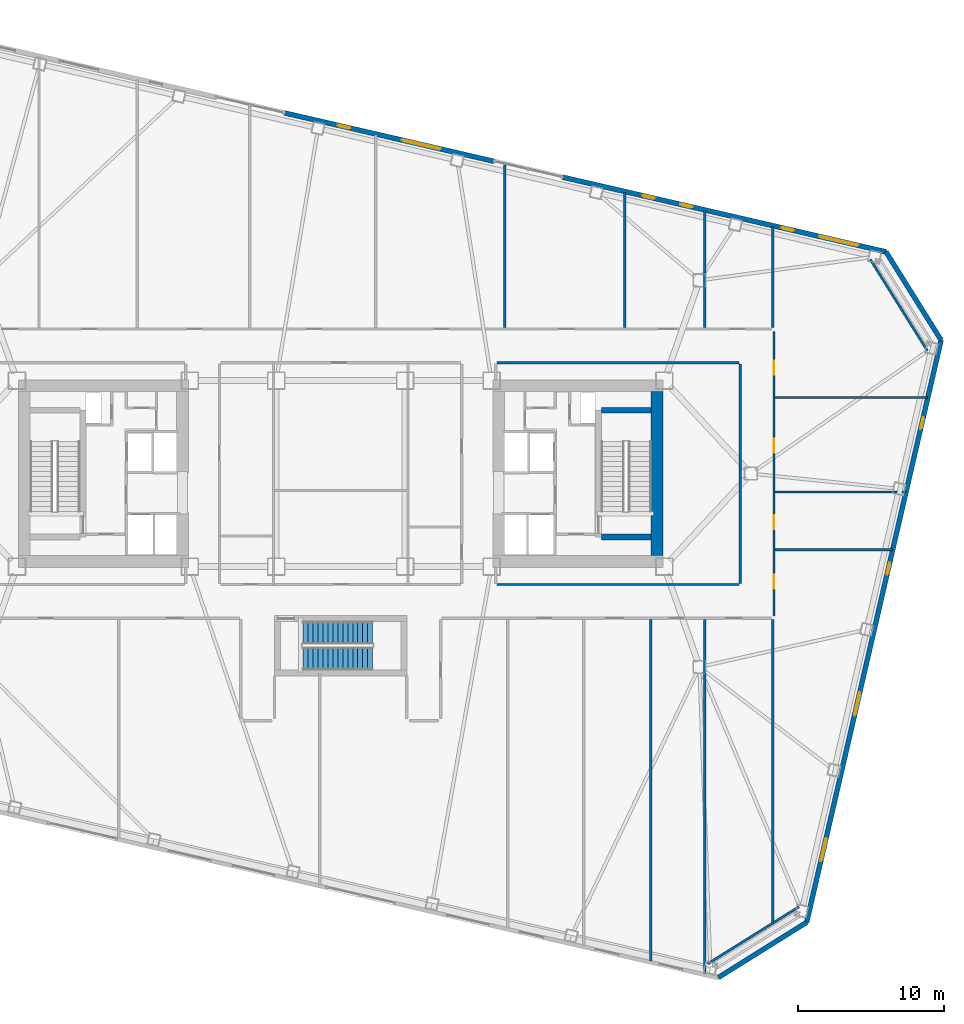
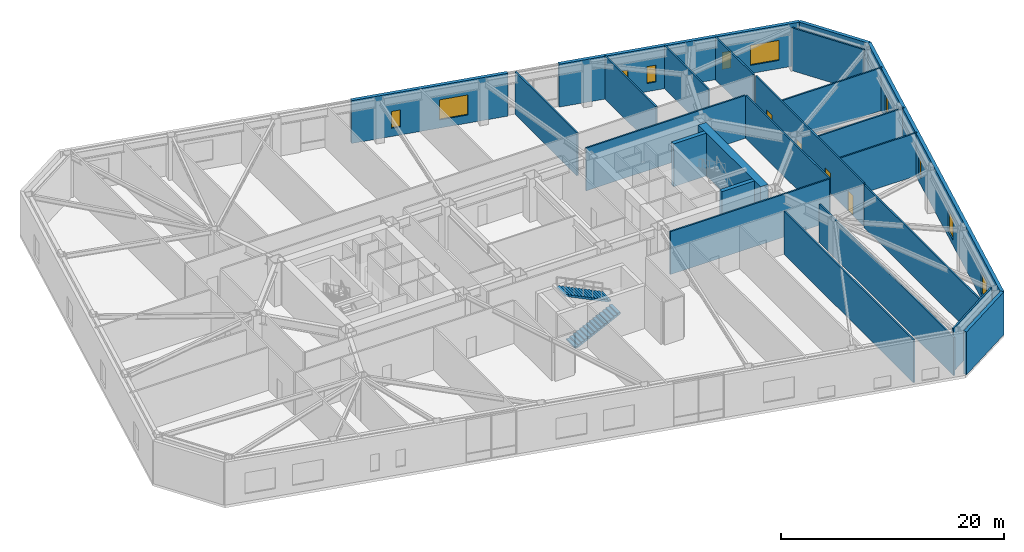
# One storey, part 14 of 21: 24 walls, 10 windows, 4 doors, 2 stair flights, 14 openings, 1 element without a shape of its own.
"""IFC4 building model written with IfcOpenShell, lengths in metres."""

from ifc_helpers import new_model, si_unit, direction, frame, frame_2d, origin, place, context, subcontext, project, spatial, polyline, rectangle, outline, extrude, material, layer, layer_set, type_object, element, fill, aggregate, save


model = new_model("IFC4")

# Units and contexts
model_context = context("Model", 3, precision=1e-05, world=origin(), true_north=direction((0.0, 1.0)))
body_context = subcontext(model_context, "Body", "Model", "MODEL_VIEW")
ifc_project = project(units=[si_unit("LENGTHUNIT", "METRE"), si_unit("AREAUNIT", "SQUARE_METRE"), si_unit("VOLUMEUNIT", "CUBIC_METRE"), si_unit("PLANEANGLEUNIT", "RADIAN"), si_unit("MASSUNIT", "GRAM", prefix="KILO")], contexts=[model_context])

# Site, building, storey
site_placement = place(None, origin())
site = spatial("IfcSite", under=ifc_project, at=site_placement, CompositionType="ELEMENT")
building_placement = place(site_placement, origin())
building = spatial("IfcBuilding", under=site, at=building_placement, Name="Tavrogorsk Clinical Tower", CompositionType="ELEMENT")
storey_placement = place(building_placement, frame((0.0, 0.0, 8.39990234375)))
storey = spatial("IfcBuildingStorey", under=building, at=storey_placement, Name="L01", CompositionType="ELEMENT", Elevation=8.39990234375)

# Walls
ifc_material_1 = material(Name="Lightweight concrete blockwork B15", Category="masonry")
ifc_layer_1 = layer(ifc_material_1, 0.159912109375)
ifc_layer_set_1 = layer_set([ifc_layer_1], Name="Lightweight concrete blockwork B15")
wall_type_1 = type_object("IfcWallType", Name="PartitionWall_160", PredefinedType="PARTITIONING", material=ifc_layer_set_1)
for number, where, z_axis, x_axis, name in (
    (1, (25.0595703125, -33.46826171875, 0.0), (0.0, 0.0, 1.0), (0.848043064089, 0.529927317139, 0.0), "L01 Corner Exoskeleton Brace Furring Wall 1"),
    (2, (40.059814453125, 8.389404296875, 0.0), (0.0, 0.0, 1.0), (-0.529927317139, 0.848043064089, 0.0), "L01 Corner Exoskeleton Brace Furring Wall 2"),
):
    element("IfcWall", number, at=place(storey_placement, frame(where, z_axis=z_axis, x_axis=x_axis)), inside=storey, type_object=wall_type_1, Name=name, PredefinedType="PARTITIONING", context=body_context, shape_type="SweptSolid", body=[
        extrude(rectangle(XDim=7.353759765625, YDim=0.159912109375, at=frame_2d((3.6767578125, 0.0))), origin(), (0.0, 0.0, 1.0), 4.7001953125),
    ])

# Wall, openings, doors
wall_1_placement = place(storey_placement, frame((29.580078125, 9.715087890625, 0.0), z_axis=(0.0, 0.0, 1.0), x_axis=(0.0, -1.0, 0.0)))
wall_1 = element("IfcWall", 3, at=wall_1_placement, inside=storey, type_object=wall_type_1, Name="L01 Corridor Partition 03", PredefinedType="PARTITIONING", context=body_context, shape_type="SweptSolid", body=[
    extrude(rectangle(XDim=19.43017578125, YDim=0.159912109375, at=frame_2d((9.715087890625, 0.0))), origin(), (0.0, 0.0, 1.0), 4.7001953125),
])
opening_1_placement = place(wall_1_placement, frame((16.630859375, 0.0, 0.0)))
opening_1 = element("IfcOpeningElement", 4, at=opening_1_placement, cuts=wall_1, Name="Opening ID-02", PredefinedType="OPENING", context=body_context, shape_type="SweptSolid", body=[
    extrude(rectangle(XDim=0.949951171875, YDim=2.199951171875, at=frame_2d((0.47509765625, 1.10009765625))), frame((0.0, 0.08984375, 0.0), z_axis=(0.0, -1.0, 0.0), x_axis=(1.0, 0.0, 0.0)), (0.0, 0.0, 1.0), 0.179931640625),
])
opening_2_placement = place(wall_1_placement, frame((12.550048828125, 0.0, 0.0)))
opening_2 = element("IfcOpeningElement", 5, at=opening_2_placement, cuts=wall_1, Name="Opening ID-02", PredefinedType="OPENING", context=body_context, shape_type="SweptSolid", body=[
    extrude(rectangle(XDim=0.949951171875, YDim=2.199951171875, at=frame_2d((0.47509765625, 1.10009765625))), frame((0.0, 0.08984375, 0.0), z_axis=(0.0, -1.0, 0.0), x_axis=(1.0, 0.0, 0.0)), (0.0, 0.0, 1.0), 0.179931640625),
])
opening_3_placement = place(wall_1_placement, frame((7.35009765625, 0.0, 0.0)))
opening_3 = element("IfcOpeningElement", 6, at=opening_3_placement, cuts=wall_1, Name="Opening ID-02", PredefinedType="OPENING", context=body_context, shape_type="SweptSolid", body=[
    extrude(rectangle(XDim=0.949951171875, YDim=2.199951171875, at=frame_2d((0.47509765625, 1.10009765625))), frame((0.0, 0.08984375, 0.0), z_axis=(0.0, -1.0, 0.0), x_axis=(1.0, 0.0, 0.0)), (0.0, 0.0, 1.0), 0.179931640625),
])
opening_4_placement = place(wall_1_placement, frame((2.01904296875, 0.0, 0.0)))
opening_4 = element("IfcOpeningElement", 7, at=opening_4_placement, cuts=wall_1, Name="Opening ID-02", PredefinedType="OPENING", context=body_context, shape_type="SweptSolid", body=[
    extrude(rectangle(XDim=0.949951171875, YDim=2.199951171875, at=frame_2d((0.47509765625, 1.10009765625))), frame((0.0, 0.08984375, 0.0), z_axis=(0.0, -1.0, 0.0), x_axis=(1.0, 0.0, 0.0)), (0.0, 0.0, 1.0), 0.179931640625),
])
ifc_material_2 = material(Name="Laminated timber leaf on aluminium frame", Category="wood")
door_type = type_object("IfcDoorType", Name="InteriorDoor_ID02_950", OperationType="NOTDEFINED", PredefinedType="DOOR", material=ifc_material_2)
door_1_placement = place(opening_1_placement, origin())
door_1 = element("IfcDoor", 8, at=door_1_placement, inside=storey, type_object=door_type, Name="L01 E Senior Clinician Suite 1 Door", OperationType="SINGLE_SWING_RIGHT", OverallHeight=2.199951171875, OverallWidth=0.949951171875, PredefinedType="DOOR", context=body_context, shape_type="SweptSolid", body=[
    extrude(rectangle(XDim=0.949951171875, YDim=2.199951171875, at=frame_2d((0.47509765625, 1.10009765625))), frame((0.0, 0.02490234375, 0.0), z_axis=(0.0, -1.0, 0.0), x_axis=(1.0, 0.0, 0.0)), (0.0, 0.0, 1.0), 0.050048828125),
])
fill(opening_1, door_1)
door_2_placement = place(opening_2_placement, origin())
door_2 = element("IfcDoor", 9, at=door_2_placement, inside=storey, type_object=door_type, Name="L01 E Multidisciplinary Seminar Suite 2 Door", OperationType="SINGLE_SWING_LEFT", OverallHeight=2.199951171875, OverallWidth=0.949951171875, PredefinedType="DOOR", context=body_context, shape_type="SweptSolid", body=[
    extrude(rectangle(XDim=0.949951171875, YDim=2.199951171875, at=frame_2d((0.47509765625, 1.10009765625))), frame((0.0, 0.02490234375, 0.0), z_axis=(0.0, -1.0, 0.0), x_axis=(1.0, 0.0, 0.0)), (0.0, 0.0, 1.0), 0.050048828125),
])
fill(opening_2, door_2)
door_3_placement = place(opening_3_placement, origin())
door_3 = element("IfcDoor", 10, at=door_3_placement, inside=storey, type_object=door_type, Name="L01 E Specialist Consultation Room 3 Door", OperationType="SINGLE_SWING_RIGHT", OverallHeight=2.199951171875, OverallWidth=0.949951171875, PredefinedType="DOOR", context=body_context, shape_type="SweptSolid", body=[
    extrude(rectangle(XDim=0.949951171875, YDim=2.199951171875, at=frame_2d((0.47509765625, 1.10009765625))), frame((0.0, 0.02490234375, 0.0), z_axis=(0.0, -1.0, 0.0), x_axis=(1.0, 0.0, 0.0)), (0.0, 0.0, 1.0), 0.050048828125),
])
fill(opening_3, door_3)
door_4_placement = place(opening_4_placement, origin())
door_4 = element("IfcDoor", 11, at=door_4_placement, inside=storey, type_object=door_type, Name="L01 E Clinical Fellows' Study 4 Door", OperationType="SINGLE_SWING_LEFT", OverallHeight=2.199951171875, OverallWidth=0.949951171875, PredefinedType="DOOR", context=body_context, shape_type="SweptSolid", body=[
    extrude(rectangle(XDim=0.949951171875, YDim=2.199951171875, at=frame_2d((0.47509765625, 1.10009765625))), frame((0.0, 0.02490234375, 0.0), z_axis=(0.0, -1.0, 0.0), x_axis=(1.0, 0.0, 0.0)), (0.0, 0.0, 1.0), 0.050048828125),
])
fill(opening_4, door_4)

# Walls
for number, where, z_axis, x_axis, name in (
    (12, (27.18505859375, 7.570068359375, 0.0), (0.0, 0.0, 1.0), (-1.0, 0.0, 0.0), "L01 Corridor Partition 12"),
    (13, (10.6650390625, -7.570068359375, 0.0), (0.0, 0.0, 1.0), (1.0, 0.0, 0.0), "L01 Corridor Partition 15"),
):
    element("IfcWall", number, at=place(storey_placement, frame(where, z_axis=z_axis, x_axis=x_axis)), inside=storey, type_object=wall_type_1, Name=name, PredefinedType="PARTITIONING", context=body_context, shape_type="SweptSolid", body=[
        extrude(rectangle(XDim=16.52001953125, YDim=0.159912109375, at=frame_2d((8.260009765625, 0.0))), origin(), (0.0, 0.0, 1.0), 4.7001953125),
    ])
wall_2_placement = place(storey_placement, frame((27.27001953125, -7.485107421875, 0.0), z_axis=(0.0, 0.0, 1.0), x_axis=(0.0, 1.0, 0.0)))
element("IfcWall", 14, at=wall_2_placement, inside=storey, type_object=wall_type_1, Name="L01 Corridor Partition 16", PredefinedType="PARTITIONING", context=body_context, shape_type="SweptSolid", body=[
    extrude(rectangle(XDim=14.97021484375, YDim=0.159912109375, at=frame_2d((7.485107421875, 0.0))), origin(), (0.0, 0.0, 1.0), 4.7001953125),
])
wall_3_placement = place(storey_placement, frame((29.5, 9.965087890625, 0.0), z_axis=(0.0, 0.0, 1.0), x_axis=(0.0, 1.0, 0.0)))
element("IfcWall", 15, at=wall_3_placement, inside=storey, type_object=wall_type_1, Name="L01 NE Wing Closure Partition", PredefinedType="PARTITIONING", context=body_context, shape_type="SweptSolid", body=[
    extrude(rectangle(XDim=6.897216796875, YDim=0.159912109375, at=frame_2d((3.44873046875, 0.0))), origin(), (0.0, 0.0, 1.0), 4.7001953125),
])
wall_4_placement = place(storey_placement, frame((29.5, -30.702880859375, 0.0), z_axis=(0.0, 0.0, 1.0), x_axis=(0.0, 1.0, 0.0)))
element("IfcWall", 16, at=wall_4_placement, inside=storey, type_object=wall_type_1, Name="L01 SE Wing Closure Partition", PredefinedType="PARTITIONING", context=body_context, shape_type="SweptSolid", body=[
    extrude(rectangle(XDim=20.73779296875, YDim=0.159912109375, at=frame_2d((10.368896484375, 0.0))), origin(), (0.0, 0.0, 1.0), 4.7001953125),
])
wall_5_placement = place(storey_placement, frame((11.199951171875, 9.965087890625, 0.0), z_axis=(0.0, 0.0, 1.0), x_axis=(0.0, 1.0, 0.0)))
element("IfcWall", 17, at=wall_5_placement, inside=storey, type_object=wall_type_1, Name="L01 North Room Partition 6", PredefinedType="PARTITIONING", context=body_context, shape_type="SweptSolid", body=[
    extrude(rectangle(XDim=11.122314453125, YDim=0.159912109375, at=frame_2d((5.56103515625, 0.0))), origin(), (0.0, 0.0, 1.0), 4.7001953125),
])
wall_6_placement = place(storey_placement, frame((19.39990234375, 9.965087890625, 0.0), z_axis=(0.0, 0.0, 1.0), x_axis=(0.0, 1.0, 0.0)))
element("IfcWall", 18, at=wall_6_placement, inside=storey, type_object=wall_type_1, Name="L01 North Room Partition 7", PredefinedType="PARTITIONING", context=body_context, shape_type="SweptSolid", body=[
    extrude(rectangle(XDim=9.22900390625, YDim=0.159912109375, at=frame_2d((4.614501953125, 0.0))), origin(), (0.0, 0.0, 1.0), 4.7001953125),
])
wall_7_placement = place(storey_placement, frame((24.85009765625, 9.965087890625, 0.0), z_axis=(0.0, 0.0, 1.0), x_axis=(0.0, 1.0, 0.0)))
element("IfcWall", 19, at=wall_7_placement, inside=storey, type_object=wall_type_1, Name="L01 North Room Partition 8", PredefinedType="PARTITIONING", context=body_context, shape_type="SweptSolid", body=[
    extrude(rectangle(XDim=7.970703125, YDim=0.159912109375, at=frame_2d((3.9853515625, 0.0))), origin(), (0.0, 0.0, 1.0), 4.7001953125),
])
wall_8_placement = place(storey_placement, frame((24.85009765625, -34.1181640625, 0.0), z_axis=(0.0, 0.0, 1.0), x_axis=(0.0, 1.0, 0.0)))
element("IfcWall", 20, at=wall_8_placement, inside=storey, type_object=wall_type_1, Name="L01 South Room Partition 5", PredefinedType="PARTITIONING", context=body_context, shape_type="SweptSolid", body=[
    extrude(rectangle(XDim=24.153076171875, YDim=0.159912109375, at=frame_2d((12.07666015625, 0.0))), origin(), (0.0, 0.0, 1.0), 4.195068359375),
])
wall_9_placement = place(storey_placement, frame((21.175048828125, -33.269775390625, 0.0), z_axis=(0.0, 0.0, 1.0), x_axis=(0.0, 1.0, 0.0)))
element("IfcWall", 21, at=wall_9_placement, inside=storey, type_object=wall_type_1, Name="L01 South Sub-Partition 5", PredefinedType="PARTITIONING", context=body_context, shape_type="SweptSolid", body=[
    extrude(rectangle(XDim=23.3046875, YDim=0.159912109375, at=frame_2d((11.65234375, 0.0))), origin(), (0.0, 0.0, 1.0), 4.7001953125),
])
wall_10_placement = place(storey_placement, frame((29.6650390625, -5.199951171875, 0.0), z_axis=(0.0, 0.0, 1.0), x_axis=(1.0, 0.0, 0.0)))
element("IfcWall", 22, at=wall_10_placement, inside=storey, type_object=wall_type_1, Name="L01 E Wing Divider 1", PredefinedType="PARTITIONING", context=body_context, shape_type="SweptSolid", body=[
    extrude(rectangle(XDim=8.007080078125, YDim=0.159912109375, at=frame_2d((4.00341796875, 0.0))), origin(), (0.0, 0.0, 1.0), 4.7001953125),
])
wall_11_placement = place(storey_placement, frame((29.6650390625, -1.25, 0.0), z_axis=(0.0, 0.0, 1.0), x_axis=(1.0, 0.0, 0.0)))
element("IfcWall", 23, at=wall_11_placement, inside=storey, type_object=wall_type_1, Name="L01 E Wing Divider 2", PredefinedType="PARTITIONING", context=body_context, shape_type="SweptSolid", body=[
    extrude(rectangle(XDim=8.9189453125, YDim=0.159912109375, at=frame_2d((4.45947265625, 0.0))), origin(), (0.0, 0.0, 1.0), 4.7001953125),
])
wall_12_placement = place(storey_placement, frame((29.6650390625, 5.199951171875, 0.0), z_axis=(0.0, 0.0, 1.0), x_axis=(1.0, 0.0, 0.0)))
element("IfcWall", 24, at=wall_12_placement, inside=storey, type_object=wall_type_1, Name="L01 E Wing Divider 3", PredefinedType="PARTITIONING", context=body_context, shape_type="SweptSolid", body=[
    extrude(rectangle(XDim=10.408203125, YDim=0.159912109375, at=frame_2d((5.2041015625, 0.0))), origin(), (0.0, 0.0, 1.0), 4.7001953125),
])

# Wall, openings, windows
ifc_material_3 = material(Name="Precast concrete B45 with limestone cladding", Category="masonry")
ifc_layer_2 = layer(ifc_material_3, 0.340087890625)
ifc_layer_set_2 = layer_set([ifc_layer_2], Name="Precast concrete B45 with limestone cladding")
wall_type_2 = type_object("IfcWallType", Name="PrecastLimestoneWall_340", PredefinedType="STANDARD", material=ifc_layer_set_2)
wall_13_placement = place(storey_placement, frame((37.228515625, 15.14990234375, 0.0), z_axis=(0.0, 0.0, 1.0), x_axis=(-0.97436993772, 0.224951604723, 0.0)))
wall_13 = element("IfcWall", 25, at=wall_13_placement, inside=storey, type_object=wall_type_2, Name="L01 N Limestone Facade Wall 1", PredefinedType="STANDARD", context=body_context, shape_type="SweptSolid", body=[
    extrude(rectangle(XDim=22.6513671875, YDim=0.340087890625, at=frame_2d((11.32568359375, 0.0))), origin(), (0.0, 0.0, 1.0), 4.7001953125),
])
opening_5_placement = place(wall_13_placement, frame((16.195068359375, 0.0, 0.89990234375)))
opening_5 = element("IfcOpeningElement", 26, at=opening_5_placement, cuts=wall_13, Name="Opening WN-06", PredefinedType="OPENING", context=body_context, shape_type="SweptSolid", body=[
    extrude(rectangle(XDim=0.85009765625, YDim=1.85009765625, at=frame_2d((0.425048828125, 0.925048828125))), frame((0.0, 0.179931640625, 0.0), z_axis=(0.0, -1.0, 0.0), x_axis=(1.0, 0.0, 0.0)), (0.0, 0.0, 1.0), 0.360107421875),
])
opening_6_placement = place(wall_13_placement, frame((13.560791015625, 0.0, 0.89990234375)))
opening_6 = element("IfcOpeningElement", 27, at=opening_6_placement, cuts=wall_13, Name="Opening WN-06", PredefinedType="OPENING", context=body_context, shape_type="SweptSolid", body=[
    extrude(rectangle(XDim=0.85009765625, YDim=1.85009765625, at=frame_2d((0.425048828125, 0.925048828125))), frame((0.0, 0.179931640625, 0.0), z_axis=(0.0, -1.0, 0.0), x_axis=(1.0, 0.0, 0.0)), (0.0, 0.0, 1.0), 0.360107421875),
])
opening_7_placement = place(wall_13_placement, frame((6.446533203125, 0.0, 0.89990234375)))
opening_7 = element("IfcOpeningElement", 28, at=opening_7_placement, cuts=wall_13, Name="Opening WN-06", PredefinedType="OPENING", context=body_context, shape_type="SweptSolid", body=[
    extrude(rectangle(XDim=0.85009765625, YDim=1.85009765625, at=frame_2d((0.425048828125, 0.925048828125))), frame((0.0, 0.179931640625, 0.0), z_axis=(0.0, -1.0, 0.0), x_axis=(1.0, 0.0, 0.0)), (0.0, 0.0, 1.0), 0.360107421875),
])
opening_8_placement = place(wall_13_placement, frame((1.962158203125, 0.0, 0.89990234375)))
opening_8 = element("IfcOpeningElement", 29, at=opening_8_placement, cuts=wall_13, Name="Opening WN-02", PredefinedType="OPENING", context=body_context, shape_type="SweptSolid", body=[
    extrude(rectangle(XDim=2.699951171875, YDim=2.199951171875, at=frame_2d((1.35009765625, 1.10009765625))), frame((0.0, 0.179931640625, 0.0), z_axis=(0.0, -1.0, 0.0), x_axis=(1.0, 0.0, 0.0)), (0.0, 0.0, 1.0), 0.360107421875),
])
ifc_material_4 = material(Name="Thermally broken aluminium frame and triple IGU", Category="aluminium")
window_type_1 = type_object("IfcWindowType", Name="MullionSubWin_850x1850", PartitioningType="SINGLE_PANEL", PredefinedType="WINDOW", material=ifc_material_4)
window_1_placement = place(opening_5_placement, origin())
window_1 = element("IfcWindow", 30, at=window_1_placement, inside=storey, type_object=window_type_1, Name="L01 N Mullion Split Window 07A", OverallHeight=1.85009765625, OverallWidth=0.85009765625, PartitioningType="SINGLE_PANEL", PredefinedType="WINDOW", context=body_context, shape_type="SweptSolid", body=[
    extrude(rectangle(XDim=0.85009765625, YDim=1.85009765625, at=frame_2d((0.425048828125, 0.925048828125))), frame((0.0, 0.030029296875, 0.0), z_axis=(0.0, -1.0, 0.0), x_axis=(1.0, 0.0, 0.0)), (0.0, 0.0, 1.0), 0.06005859375),
])
fill(opening_5, window_1)
window_2_placement = place(opening_6_placement, origin())
window_2 = element("IfcWindow", 31, at=window_2_placement, inside=storey, type_object=window_type_1, Name="L01 N Mullion Split Window 08B", OverallHeight=1.85009765625, OverallWidth=0.85009765625, PartitioningType="SINGLE_PANEL", PredefinedType="WINDOW", context=body_context, shape_type="SweptSolid", body=[
    extrude(rectangle(XDim=0.85009765625, YDim=1.85009765625, at=frame_2d((0.425048828125, 0.925048828125))), frame((0.0, 0.030029296875, 0.0), z_axis=(0.0, -1.0, 0.0), x_axis=(1.0, 0.0, 0.0)), (0.0, 0.0, 1.0), 0.06005859375),
])
fill(opening_6, window_2)
window_3_placement = place(opening_7_placement, origin())
window_3 = element("IfcWindow", 32, at=window_3_placement, inside=storey, type_object=window_type_1, Name="L01 N Mullion Split Window 09A", OverallHeight=1.85009765625, OverallWidth=0.85009765625, PartitioningType="SINGLE_PANEL", PredefinedType="WINDOW", context=body_context, shape_type="SweptSolid", body=[
    extrude(rectangle(XDim=0.85009765625, YDim=1.85009765625, at=frame_2d((0.425048828125, 0.925048828125))), frame((0.0, 0.030029296875, 0.0), z_axis=(0.0, -1.0, 0.0), x_axis=(1.0, 0.0, 0.0)), (0.0, 0.0, 1.0), 0.06005859375),
])
fill(opening_7, window_3)
ifc_material_5 = material(Name="Thermally broken aluminium frame and triple IGU", Category="aluminium")
window_type_2 = type_object("IfcWindowType", Name="WardChicagoWin_2700x2200", PartitioningType="TRIPLE_PANEL_HORIZONTAL", PredefinedType="WINDOW", material=ifc_material_5)
window_4_placement = place(opening_8_placement, origin())
window_4 = element("IfcWindow", 33, at=window_4_placement, inside=storey, type_object=window_type_2, Name="L01 N Chicago Window 10", OverallHeight=2.199951171875, OverallWidth=2.699951171875, PartitioningType="SINGLE_PANEL", PredefinedType="WINDOW", context=body_context, shape_type="SweptSolid", body=[
    extrude(rectangle(XDim=2.699951171875, YDim=2.199951171875, at=frame_2d((1.35009765625, 1.10009765625))), frame((0.0, 0.030029296875, 0.0), z_axis=(0.0, -1.0, 0.0), x_axis=(1.0, 0.0, 0.0)), (0.0, 0.0, 1.0), 0.06005859375),
])
fill(opening_8, window_4)

wall_14_placement = place(storey_placement, frame((10.480712890625, 21.3251953125, 0.0), z_axis=(0.0, 0.0, 1.0), x_axis=(-0.974369353393, 0.2249541357, 0.0)))
wall_14 = element("IfcWall", 34, at=wall_14_placement, inside=storey, type_object=wall_type_2, Name="L01 N Limestone Facade Wall 2", PredefinedType="STANDARD", context=body_context, shape_type="SweptSolid", body=[
    extrude(rectangle(XDim=14.697021484375, YDim=0.340087890625, at=frame_2d((7.3486328125, 0.0))), origin(), (0.0, 0.0, 1.0), 4.7001953125),
])
opening_9_placement = place(wall_14_placement, frame((10.0908203125, 0.0, 0.89990234375)))
opening_9 = element("IfcOpeningElement", 35, at=opening_9_placement, cuts=wall_14, Name="Opening WN-06", PredefinedType="OPENING", context=body_context, shape_type="SweptSolid", body=[
    extrude(rectangle(XDim=0.85009765625, YDim=1.85009765625, at=frame_2d((0.425048828125, 0.925048828125))), frame((0.0, 0.179931640625, 0.0), z_axis=(0.0, -1.0, 0.0), x_axis=(1.0, 0.0, 0.0)), (0.0, 0.0, 1.0), 0.360107421875),
])
opening_10_placement = place(wall_14_placement, frame((3.75634765625, 0.0, 0.89990234375)))
opening_10 = element("IfcOpeningElement", 36, at=opening_10_placement, cuts=wall_14, Name="Opening WN-02", PredefinedType="OPENING", context=body_context, shape_type="SweptSolid", body=[
    extrude(rectangle(XDim=2.699951171875, YDim=2.199951171875, at=frame_2d((1.35009765625, 1.10009765625))), frame((0.0, 0.179931640625, 0.0), z_axis=(0.0, -1.0, 0.0), x_axis=(1.0, 0.0, 0.0)), (0.0, 0.0, 1.0), 0.360107421875),
])
window_5_placement = place(opening_9_placement, origin())
window_5 = element("IfcWindow", 37, at=window_5_placement, inside=storey, type_object=window_type_1, Name="L01 N Mullion Split Window 05B", OverallHeight=1.85009765625, OverallWidth=0.85009765625, PartitioningType="SINGLE_PANEL", PredefinedType="WINDOW", context=body_context, shape_type="SweptSolid", body=[
    extrude(rectangle(XDim=0.85009765625, YDim=1.85009765625, at=frame_2d((0.425048828125, 0.925048828125))), frame((0.0, 0.030029296875, 0.0), z_axis=(0.0, -1.0, 0.0), x_axis=(1.0, 0.0, 0.0)), (0.0, 0.0, 1.0), 0.06005859375),
])
fill(opening_9, window_5)
window_6_placement = place(opening_10_placement, origin())
window_6 = element("IfcWindow", 38, at=window_6_placement, inside=storey, type_object=window_type_2, Name="L01 N Chicago Window 06", OverallHeight=2.199951171875, OverallWidth=2.699951171875, PartitioningType="SINGLE_PANEL", PredefinedType="WINDOW", context=body_context, shape_type="SweptSolid", body=[
    extrude(rectangle(XDim=2.699951171875, YDim=2.199951171875, at=frame_2d((1.35009765625, 1.10009765625))), frame((0.0, 0.030029296875, 0.0), z_axis=(0.0, -1.0, 0.0), x_axis=(1.0, 0.0, 0.0)), (0.0, 0.0, 1.0), 0.06005859375),
])
fill(opening_10, window_6)

wall_15_placement = place(storey_placement, frame((31.820068359375, -30.636962890625, 0.0), z_axis=(0.0, 0.0, 1.0), x_axis=(0.224949969076, 0.974370315338, 0.0)))
wall_15 = element("IfcWall", 39, at=wall_15_placement, inside=storey, type_object=wall_type_2, Name="L01 E Pleated Limestone Wing Wall", PredefinedType="STANDARD", context=body_context, shape_type="SweptSolid", body=[
    extrude(rectangle(XDim=40.800048828125, YDim=0.340087890625, at=frame_2d((20.39990234375, 0.0))), origin(), (0.0, 0.0, 1.0), 4.7001953125),
])
opening_11_placement = place(wall_15_placement, frame((4.300048828125, 0.0, 0.580078125)))
opening_11 = element("IfcOpeningElement", 40, at=opening_11_placement, cuts=wall_15, Name="Opening WN-07", PredefinedType="OPENING", context=body_context, shape_type="SweptSolid", body=[
    extrude(rectangle(XDim=1.60009765625, YDim=2.300048828125, at=frame_2d((0.800048828125, 1.14990234375))), frame((0.0, 0.179931640625, 0.0), z_axis=(0.0, -1.0, 0.0), x_axis=(1.0, 0.0, 0.0)), (0.0, 0.0, 1.0), 0.360107421875),
])
opening_12_placement = place(wall_15_placement, frame((14.5, 0.0, 0.580078125)))
opening_12 = element("IfcOpeningElement", 41, at=opening_12_placement, cuts=wall_15, Name="Opening WN-07", PredefinedType="OPENING", context=body_context, shape_type="SweptSolid", body=[
    extrude(rectangle(XDim=1.60009765625, YDim=2.300048828125, at=frame_2d((0.800048828125, 1.14990234375))), frame((0.0, 0.179931640625, 0.0), z_axis=(0.0, -1.0, 0.0), x_axis=(1.0, 0.0, 0.0)), (0.0, 0.0, 1.0), 0.360107421875),
])
opening_13_placement = place(wall_15_placement, frame((24.35009765625, 0.0, 0.75)))
opening_13 = element("IfcOpeningElement", 42, at=opening_13_placement, cuts=wall_15, Name="Opening WN-06", PredefinedType="OPENING", context=body_context, shape_type="SweptSolid", body=[
    extrude(rectangle(XDim=0.85009765625, YDim=1.85009765625, at=frame_2d((0.425048828125, 0.925048828125))), frame((0.0, 0.179931640625, 0.0), z_axis=(0.0, -1.0, 0.0), x_axis=(1.0, 0.0, 0.0)), (0.0, 0.0, 1.0), 0.360107421875),
])
opening_14_placement = place(wall_15_placement, frame((34.550048828125, 0.0, 0.75)))
opening_14 = element("IfcOpeningElement", 43, at=opening_14_placement, cuts=wall_15, Name="Opening WN-06", PredefinedType="OPENING", context=body_context, shape_type="SweptSolid", body=[
    extrude(rectangle(XDim=0.85009765625, YDim=1.85009765625, at=frame_2d((0.425048828125, 0.925048828125))), frame((0.0, 0.179931640625, 0.0), z_axis=(0.0, -1.0, 0.0), x_axis=(1.0, 0.0, 0.0)), (0.0, 0.0, 1.0), 0.360107421875),
])
window_7_placement = place(opening_13_placement, origin())
window_7 = element("IfcWindow", 44, at=window_7_placement, inside=storey, type_object=window_type_1, Name="L01 E Pleat Mullion Window 3A", OverallHeight=1.85009765625, OverallWidth=0.85009765625, PartitioningType="SINGLE_PANEL", PredefinedType="WINDOW", context=body_context, shape_type="SweptSolid", body=[
    extrude(rectangle(XDim=0.85009765625, YDim=1.85009765625, at=frame_2d((0.425048828125, 0.925048828125))), frame((0.0, 0.030029296875, 0.0), z_axis=(0.0, -1.0, 0.0), x_axis=(1.0, 0.0, 0.0)), (0.0, 0.0, 1.0), 0.06005859375),
])
fill(opening_13, window_7)
window_8_placement = place(opening_14_placement, origin())
window_8 = element("IfcWindow", 45, at=window_8_placement, inside=storey, type_object=window_type_1, Name="L01 E Pleat Mullion Window 4A", OverallHeight=1.85009765625, OverallWidth=0.85009765625, PartitioningType="SINGLE_PANEL", PredefinedType="WINDOW", context=body_context, shape_type="SweptSolid", body=[
    extrude(rectangle(XDim=0.85009765625, YDim=1.85009765625, at=frame_2d((0.425048828125, 0.925048828125))), frame((0.0, 0.030029296875, 0.0), z_axis=(0.0, -1.0, 0.0), x_axis=(1.0, 0.0, 0.0)), (0.0, 0.0, 1.0), 0.06005859375),
])
fill(opening_14, window_8)
ifc_material_6 = material(Name="Thermally broken aluminium frame and triple IGU", Category="aluminium")
window_type_3 = type_object("IfcWindowType", Name="PleatSlotWin_1600x2300", PartitioningType="SINGLE_PANEL", PredefinedType="WINDOW", material=ifc_material_6)
window_9_placement = place(opening_11_placement, origin())
window_9 = element("IfcWindow", 46, at=window_9_placement, inside=storey, type_object=window_type_3, Name="L01 E Pleat Slot Window 1", OverallHeight=2.300048828125, OverallWidth=1.60009765625, PartitioningType="SINGLE_PANEL", PredefinedType="WINDOW", context=body_context, shape_type="SweptSolid", body=[
    extrude(rectangle(XDim=1.60009765625, YDim=2.300048828125, at=frame_2d((0.800048828125, 1.14990234375))), frame((0.0, 0.030029296875, 0.0), z_axis=(0.0, -1.0, 0.0), x_axis=(1.0, 0.0, 0.0)), (0.0, 0.0, 1.0), 0.06005859375),
])
fill(opening_11, window_9)
window_10_placement = place(opening_12_placement, origin())
window_10 = element("IfcWindow", 47, at=window_10_placement, inside=storey, type_object=window_type_3, Name="L01 E Pleat Slot Window 2", OverallHeight=2.300048828125, OverallWidth=1.60009765625, PartitioningType="SINGLE_PANEL", PredefinedType="WINDOW", context=body_context, shape_type="SweptSolid", body=[
    extrude(rectangle(XDim=1.60009765625, YDim=2.300048828125, at=frame_2d((0.800048828125, 1.14990234375))), frame((0.0, 0.030029296875, 0.0), z_axis=(0.0, -1.0, 0.0), x_axis=(1.0, 0.0, 0.0)), (0.0, 0.0, 1.0), 0.06005859375),
])
fill(opening_12, window_10)

# Walls
for number, where, z_axis, x_axis, name in (
    (48, (25.78759765625, -34.406494140625, 0.0), (0.0, 0.0, 1.0), (0.848046504656, 0.529921811158, 0.0), "L01 Chamfered Corner Wall 1"),
    (49, (40.998046875, 9.117431640625, 0.0), (0.0, 0.0, 1.0), (-0.529921811158, 0.848046504656, 0.0), "L01 Chamfered Corner Wall 2"),
):
    element("IfcWall", number, at=place(storey_placement, frame(where, z_axis=z_axis, x_axis=x_axis)), inside=storey, type_object=wall_type_2, Name=name, PredefinedType="STANDARD", context=body_context, shape_type="SweptSolid", body=[
        extrude(rectangle(XDim=7.11328125, YDim=0.340087890625, at=frame_2d((3.556640625, 0.0))), origin(), (0.0, 0.0, 1.0), 4.7001953125),
    ])
ifc_material_7 = material(Name="Concrete B80", Category="concrete")
ifc_layer_3 = layer(ifc_material_7, 0.39990234375)
ifc_layer_set_3 = layer_set([ifc_layer_3], Name="Concrete B80")
wall_type_3 = type_object("IfcWallType", Name="ShearWall_400", PredefinedType="SHEAR", material=ifc_layer_set_3)
for number, where, z_axis, x_axis, name in (
    (50, (17.800048828125, -4.324951171875, 0.0), (0.0, 0.0, 1.0), (1.0, 0.0, 0.0), "L01 Core East Stair Shaft South Shear Wall"),
    (51, (17.800048828125, 4.324951171875, 0.0), (0.0, 0.0, 1.0), (1.0, 0.0, 0.0), "L01 Core East Stair Shaft North Shear Wall"),
):
    element("IfcWall", number, at=place(storey_placement, frame(where, z_axis=z_axis, x_axis=x_axis)), inside=storey, type_object=wall_type_3, Name=name, PredefinedType="SHEAR", context=body_context, shape_type="SweptSolid", body=[
        extrude(rectangle(XDim=3.39990234375, YDim=0.39990234375, at=frame_2d((1.699951171875, 0.0))), origin(), (0.0, 0.0, 1.0), 4.7001953125),
    ])
ifc_material_8 = material(Name="Concrete B80", Category="concrete")
ifc_layer_4 = layer(ifc_material_8, 0.800048828125)
ifc_layer_set_4 = layer_set([ifc_layer_4], Name="Concrete B80")
wall_type_4 = type_object("IfcWallType", Name="ShearWall_800", PredefinedType="SHEAR", material=ifc_layer_set_4)
wall_16_placement = place(storey_placement, frame((21.60009765625, -5.60009765625, 0.0), z_axis=(0.0, 0.0, 1.0), x_axis=(0.0, 1.0, 0.0)))
element("IfcWall", 52, at=wall_16_placement, inside=storey, type_object=wall_type_4, Name="L01 Core East End Shear Wall", PredefinedType="SHEAR", context=body_context, shape_type="SweptSolid", body=[
    extrude(rectangle(XDim=11.2001953125, YDim=0.800048828125, at=frame_2d((5.60009765625, 0.0))), origin(), (0.0, 0.0, 1.0), 4.7001953125),
])

# Stair, stair flights
ifc_material_9 = material(Name="Concrete B60", Category="concrete")
stair_type = type_object("IfcStairType", Name="CoreStairAssembly", PredefinedType="HALF_TURN_STAIR", material=ifc_material_9)
stair_placement = place(storey_placement, origin())
stair = element("IfcStair", 53, at=stair_placement, inside=storey, type_object=stair_type, Name="L01 ST-P", PredefinedType="HALF_TURN_STAIR")
ifc_material_10 = material(Name="Concrete B60", Category="concrete")
stair_flight_type = type_object("IfcStairFlightType", Name="CoreStairFlight", PredefinedType="STRAIGHT", material=ifc_material_10)
stair_flight_1_placement = place(storey_placement, frame((-2.574951171875, -12.625, 0.0), z_axis=(0.0, 0.0, 1.0), x_axis=(1.0, 0.0, 0.0)))
stair_flight_1 = element("IfcStairFlight", 54, at=stair_flight_1_placement, type_object=stair_flight_type, Name="ST-P flight 1", NumberOfRisers=15, NumberOfTreads=14, PredefinedType="STRAIGHT", RiserHeight=0.166666667, TreadLength=0.34, context=body_context, shape_type="SweptSolid", body=[
    extrude(outline(polyline([(0.0, 0.0), (0.0, 0.166748046875), (0.340087890625, 0.166748046875), (0.340087890625, 0.333251953125), (0.679931640625, 0.333251953125), (0.679931640625, 0.5), (1.02001953125, 0.5), (1.02001953125, 0.666748046875), (1.360107421875, 0.666748046875), (1.360107421875, 0.833251953125), (1.699951171875, 0.833251953125), (1.699951171875, 1.0), (2.0400390625, 1.0), (2.0400390625, 1.166748046875), (2.3798828125, 1.166748046875), (2.3798828125, 1.333251953125), (2.719970703125, 1.333251953125), (2.719970703125, 1.5), (3.06005859375, 1.5), (3.06005859375, 1.666748046875), (3.39990234375, 1.666748046875), (3.39990234375, 1.833251953125), (3.739990234375, 1.833251953125), (3.739990234375, 2.0), (4.080078125, 2.0), (4.080078125, 2.166748046875), (4.419921875, 2.166748046875), (4.419921875, 2.333251953125), (4.760009765625, 2.333251953125), (4.760009765625, 2.5), (4.760009765625, 2.16650390625), (0.340576171875, 0.0), (0.0, 0.0)])), frame((0.0, 0.77490234375, 0.0), z_axis=(0.0, -1.0, 0.0), x_axis=(1.0, 0.0, 0.0)), (0.0, 0.0, 1.0), 1.550048828125),
])
stair_flight_2_placement = place(storey_placement, frame((2.18505859375, -10.875, 2.5), z_axis=(0.0, 0.0, 1.0), x_axis=(-1.0, 0.0, 0.0)))
stair_flight_2 = element("IfcStairFlight", 55, at=stair_flight_2_placement, type_object=stair_flight_type, Name="ST-P flight 2", NumberOfRisers=15, NumberOfTreads=14, PredefinedType="STRAIGHT", RiserHeight=0.166666667, TreadLength=0.34, context=body_context, shape_type="SweptSolid", body=[
    extrude(outline(polyline([(0.0, 0.0), (0.0, 0.166748046875), (0.340087890625, 0.166748046875), (0.340087890625, 0.333251953125), (0.679931640625, 0.333251953125), (0.679931640625, 0.5), (1.02001953125, 0.5), (1.02001953125, 0.666748046875), (1.360107421875, 0.666748046875), (1.360107421875, 0.833251953125), (1.699951171875, 0.833251953125), (1.699951171875, 1.0), (2.0400390625, 1.0), (2.0400390625, 1.166748046875), (2.3798828125, 1.166748046875), (2.3798828125, 1.333251953125), (2.719970703125, 1.333251953125), (2.719970703125, 1.5), (3.06005859375, 1.5), (3.06005859375, 1.666748046875), (3.39990234375, 1.666748046875), (3.39990234375, 1.833251953125), (3.739990234375, 1.833251953125), (3.739990234375, 2.0), (4.080078125, 2.0), (4.080078125, 2.166748046875), (4.419921875, 2.166748046875), (4.419921875, 2.333251953125), (4.760009765625, 2.333251953125), (4.760009765625, 2.5), (4.760009765625, 2.16650390625), (0.340576171875, 0.0), (0.0, 0.0)])), frame((0.0, 0.77490234375, 0.0), z_axis=(0.0, -1.0, 0.0), x_axis=(1.0, 0.0, 0.0)), (0.0, 0.0, 1.0), 1.550048828125),
])
aggregate(stair, [stair_flight_1, stair_flight_2])

save(model, "model.ifc")
